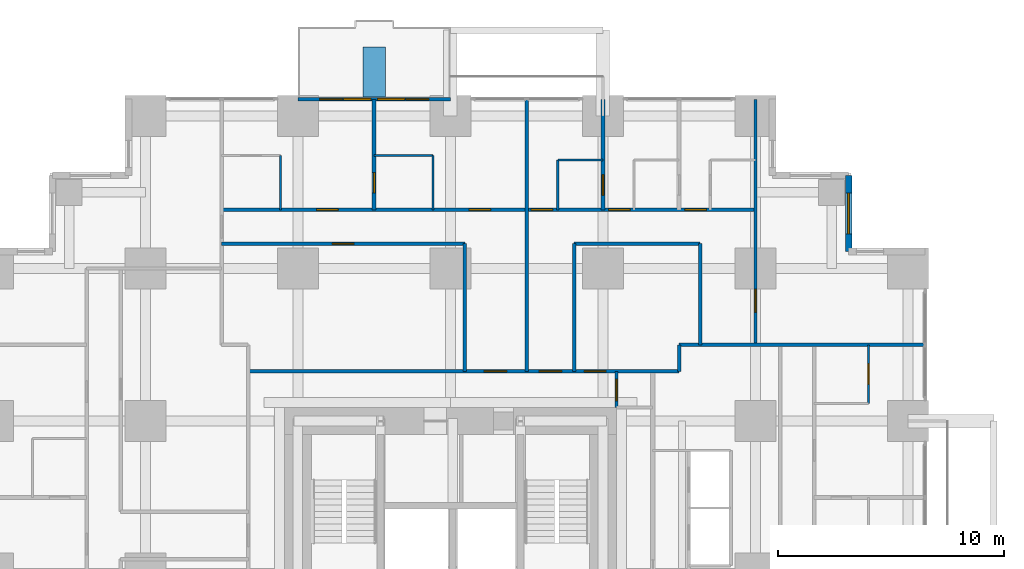
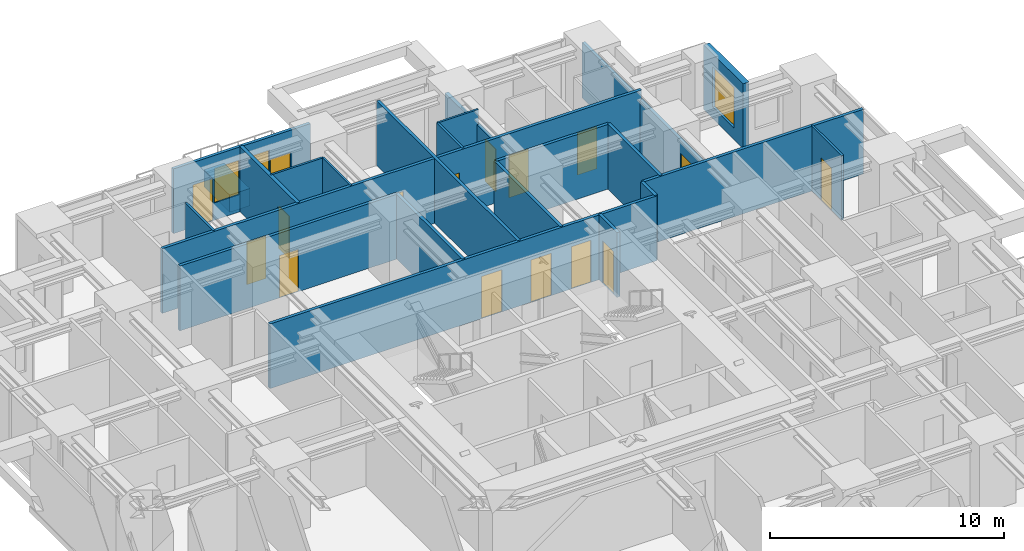
# One storey, part 12 of 14: 23 walls, 16 doors, 3 windows, 19 openings.
"""IFC4 building model written with IfcOpenShell, lengths in metres."""

from ifc_helpers import new_model, si_unit, direction, frame, frame_2d, origin, place, context, subcontext, project, spatial, rectangle, extrude, material, layer, layer_set, type_object, element, fill, save


model = new_model("IFC4")

# Units and contexts
model_context = context("Model", 3, precision=1e-05, world=origin(), true_north=direction((0.0, 1.0)))
body_context = subcontext(model_context, "Body", "Model", "MODEL_VIEW")
ifc_project = project(units=[si_unit("LENGTHUNIT", "METRE"), si_unit("AREAUNIT", "SQUARE_METRE"), si_unit("VOLUMEUNIT", "CUBIC_METRE"), si_unit("PLANEANGLEUNIT", "RADIAN"), si_unit("MASSUNIT", "GRAM", prefix="KILO")], contexts=[model_context])

# Site, building, storey
site_placement = place(None, origin())
site = spatial("IfcSite", under=ifc_project, at=site_placement, CompositionType="ELEMENT")
building_placement = place(site_placement, origin())
building = spatial("IfcBuilding", under=site, at=building_placement, Name="Nyansa Garden Tower", CompositionType="ELEMENT")
storey_placement = place(building_placement, frame((0.0, 0.0, 54.0)))
storey = spatial("IfcBuildingStorey", under=building, at=storey_placement, Name="L14", CompositionType="ELEMENT", Elevation=54.0)

# Wall, opening, door
ifc_material_1 = material(Name="Dense blockwork, plastered both sides, 55 dB", Category="masonry")
ifc_layer_1 = layer(ifc_material_1, 0.175048828125)
ifc_layer_set_1 = layer_set([ifc_layer_1], Name="Acoustic party wall PW175")
wall_type_1 = type_object("IfcWallType", Name="Acoustic party wall PW175", PredefinedType="PARTITIONING", material=ifc_layer_set_1)
wall_1_placement = place(storey_placement, frame((16.875, 36.35009765625, 0.0), z_axis=(0.0, 0.0, 1.0), x_axis=(0.0, 1.0, 0.0)))
wall_1 = element("IfcWall", 1, at=wall_1_placement, inside=storey, type_object=wall_type_1, Name="Party wall", PredefinedType="PARTITIONING", context=body_context, shape_type="SweptSolid", body=[
    extrude(rectangle(XDim=4.8837890625, YDim=0.175048828125, at=frame_2d((2.44189453125, 0.0))), origin(), (0.0, 0.0, 1.0), 3.375),
])
opening_1_placement = place(wall_1_placement, frame((0.75, 0.0, 0.0)))
opening_1 = element("IfcOpeningElement", 2, at=opening_1_placement, cuts=wall_1, Name="Opening D02", PredefinedType="OPENING", context=body_context, shape_type="SweptSolid", body=[
    extrude(rectangle(XDim=0.89990234375, YDim=2.199951171875, at=frame_2d((0.449951171875, 1.10009765625))), frame((0.0, 0.097412109375, 0.0), z_axis=(0.0, -1.0, 0.0), x_axis=(1.0, 0.0, 0.0)), (0.0, 0.0, 1.0), 0.195068359375),
])
ifc_material_2 = material(Name="Timber flush door", Category="wood")
door_type_1 = type_object("IfcDoorType", Name="En-suite door D02 900x2200", OperationType="SINGLE_SWING_RIGHT", PredefinedType="DOOR", material=ifc_material_2)
door_1_placement = place(opening_1_placement, origin())
door_1 = element("IfcDoor", 3, at=door_1_placement, inside=storey, type_object=door_type_1, Name="Door L14-053", OperationType="SINGLE_SWING_RIGHT", OverallHeight=2.199951171875, OverallWidth=0.89990234375, PredefinedType="DOOR", context=body_context, shape_type="SweptSolid", body=[
    extrude(rectangle(XDim=0.89990234375, YDim=2.199951171875, at=frame_2d((0.449951171875, 1.10009765625))), frame((0.0, 0.02490234375, 0.0), z_axis=(0.0, -1.0, 0.0), x_axis=(1.0, 0.0, 0.0)), (0.0, 0.0, 1.0), 0.050048828125),
])
fill(opening_1, door_1)

wall_2_placement = place(storey_placement, frame((27.0, 36.35009765625, 0.0), z_axis=(0.0, 0.0, 1.0), x_axis=(0.0, 1.0, 0.0)))
wall_2 = element("IfcWall", 4, at=wall_2_placement, inside=storey, type_object=wall_type_1, Name="Party wall", PredefinedType="PARTITIONING", context=body_context, shape_type="SweptSolid", body=[
    extrude(rectangle(XDim=4.8837890625, YDim=0.175048828125, at=frame_2d((2.44189453125, 0.0))), origin(), (0.0, 0.0, 1.0), 2.610107421875),
])
opening_2_placement = place(wall_2_placement, frame((0.64990234375, 0.0, 0.0)))
opening_2 = element("IfcOpeningElement", 5, at=opening_2_placement, cuts=wall_2, Name="Opening D02", PredefinedType="OPENING", context=body_context, shape_type="SweptSolid", body=[
    extrude(rectangle(XDim=0.89990234375, YDim=2.199951171875, at=frame_2d((0.449951171875, 1.10009765625))), frame((0.0, 0.097412109375, 0.0), z_axis=(0.0, -1.0, 0.0), x_axis=(1.0, 0.0, 0.0)), (0.0, 0.0, 1.0), 0.195068359375),
])
door_2_placement = place(opening_2_placement, origin())
door_2 = element("IfcDoor", 6, at=door_2_placement, inside=storey, type_object=door_type_1, Name="Door L14-048", OperationType="SINGLE_SWING_RIGHT", OverallHeight=2.199951171875, OverallWidth=0.89990234375, PredefinedType="DOOR", context=body_context, shape_type="SweptSolid", body=[
    extrude(rectangle(XDim=0.89990234375, YDim=2.199951171875, at=frame_2d((0.449951171875, 1.10009765625))), frame((0.0, 0.02490234375, 0.0), z_axis=(0.0, -1.0, 0.0), x_axis=(1.0, 0.0, 0.0)), (0.0, 0.0, 1.0), 0.050048828125),
])
fill(opening_2, door_2)

# Wall, openings, doors, windows
ifc_material_3 = material(Name="Black aluminium framed glazed screen", Category="aluminium")
ifc_layer_2 = layer(ifc_material_3, 0.14990234375)
ifc_layer_set_2 = layer_set([ifc_layer_2], Name="Balcony screen wall BW150")
wall_type_2 = type_object("IfcWallType", Name="Balcony screen wall BW150", PredefinedType="SOLIDWALL", material=ifc_layer_set_2)
wall_3_placement = place(storey_placement, frame((13.5, 41.25, 0.0), z_axis=(0.0, 0.0, 1.0), x_axis=(1.0, 0.0, 0.0)))
wall_3 = element("IfcWall", 7, at=wall_3_placement, inside=storey, type_object=wall_type_2, Name="Glazed screen wall L14 N", PredefinedType="SOLIDWALL", context=body_context, shape_type="SweptSolid", body=[
    extrude(rectangle(XDim=6.75, YDim=0.14990234375, at=frame_2d((3.375, 0.0))), origin(), (0.0, 0.0, 1.0), 3.375),
])
opening_3_placement = place(wall_3_placement, frame((0.96240234375, 0.0, 0.0)))
opening_3 = element("IfcOpeningElement", 8, at=opening_3_placement, cuts=wall_3, Name="Opening D20", PredefinedType="OPENING", context=body_context, shape_type="SweptSolid", body=[
    extrude(rectangle(XDim=1.0, YDim=2.199951171875, at=frame_2d((0.5, 1.10009765625))), frame((0.0, 0.0849609375, 0.0), z_axis=(0.0, -1.0, 0.0), x_axis=(1.0, 0.0, 0.0)), (0.0, 0.0, 1.0), 0.169921875),
])
opening_4_placement = place(wall_3_placement, frame((2.02490234375, 0.0, 0.89990234375)))
opening_4 = element("IfcOpeningElement", 9, at=opening_4_placement, cuts=wall_3, Name="Opening W6", PredefinedType="OPENING", context=body_context, shape_type="SweptSolid", body=[
    extrude(rectangle(XDim=1.199951171875, YDim=1.800048828125, at=frame_2d((0.60009765625, 0.89990234375))), frame((0.0, 0.0849609375, 0.0), z_axis=(0.0, -1.0, 0.0), x_axis=(1.0, 0.0, 0.0)), (0.0, 0.0, 1.0), 0.169921875),
])
opening_5_placement = place(wall_3_placement, frame((4.78759765625, 0.0, 0.0)))
opening_5 = element("IfcOpeningElement", 10, at=opening_5_placement, cuts=wall_3, Name="Opening D20", PredefinedType="OPENING", context=body_context, shape_type="SweptSolid", body=[
    extrude(rectangle(XDim=1.0, YDim=2.199951171875, at=frame_2d((0.5, 1.10009765625))), frame((0.0, 0.0849609375, 0.0), z_axis=(0.0, -1.0, 0.0), x_axis=(1.0, 0.0, 0.0)), (0.0, 0.0, 1.0), 0.169921875),
])
opening_6_placement = place(wall_3_placement, frame((3.52490234375, 0.0, 0.89990234375)))
opening_6 = element("IfcOpeningElement", 11, at=opening_6_placement, cuts=wall_3, Name="Opening W6", PredefinedType="OPENING", context=body_context, shape_type="SweptSolid", body=[
    extrude(rectangle(XDim=1.199951171875, YDim=1.800048828125, at=frame_2d((0.60009765625, 0.89990234375))), frame((0.0, 0.0849609375, 0.0), z_axis=(0.0, -1.0, 0.0), x_axis=(1.0, 0.0, 0.0)), (0.0, 0.0, 1.0), 0.169921875),
])
ifc_material_4 = material(Name="Black aluminium framed glazed door", Category="aluminium")
door_type_2 = type_object("IfcDoorType", Name="Balcony door D20 1000x2200", OperationType="NOTDEFINED", PredefinedType="DOOR", material=ifc_material_4)
door_3_placement = place(opening_3_placement, origin())
door_3 = element("IfcDoor", 12, at=door_3_placement, inside=storey, type_object=door_type_2, Name="Balcony door L14", OperationType="SINGLE_SWING_LEFT", OverallHeight=2.199951171875, OverallWidth=1.0, PredefinedType="DOOR", context=body_context, shape_type="SweptSolid", body=[
    extrude(rectangle(XDim=1.0, YDim=2.199951171875, at=frame_2d((0.5, 1.10009765625))), frame((0.0, 0.02490234375, 0.0), z_axis=(0.0, -1.0, 0.0), x_axis=(1.0, 0.0, 0.0)), (0.0, 0.0, 1.0), 0.050048828125),
])
fill(opening_3, door_3)
door_4_placement = place(opening_5_placement, origin())
door_4 = element("IfcDoor", 13, at=door_4_placement, inside=storey, type_object=door_type_2, Name="Balcony door L14", OperationType="SINGLE_SWING_RIGHT", OverallHeight=2.199951171875, OverallWidth=1.0, PredefinedType="DOOR", context=body_context, shape_type="SweptSolid", body=[
    extrude(rectangle(XDim=1.0, YDim=2.199951171875, at=frame_2d((0.5, 1.10009765625))), frame((0.0, 0.02490234375, 0.0), z_axis=(0.0, -1.0, 0.0), x_axis=(1.0, 0.0, 0.0)), (0.0, 0.0, 1.0), 0.050048828125),
])
fill(opening_5, door_4)
ifc_material_5 = material(Name="Black aluminium frame, dark tinted double glazing", Category="aluminium")
window_type_1 = type_object("IfcWindowType", Name="Balcony window W6 1200x1800", PartitioningType="SINGLE_PANEL", PredefinedType="WINDOW", material=ifc_material_5)
window_1_placement = place(opening_4_placement, origin())
window_1 = element("IfcWindow", 14, at=window_1_placement, inside=storey, type_object=window_type_1, Name="Window L14", OverallHeight=1.800048828125, OverallWidth=1.199951171875, PartitioningType="SINGLE_PANEL", PredefinedType="WINDOW", context=body_context, shape_type="SweptSolid", body=[
    extrude(rectangle(XDim=1.199951171875, YDim=1.800048828125, at=frame_2d((0.60009765625, 0.89990234375))), frame((0.0, 0.030029296875, 0.0), z_axis=(0.0, -1.0, 0.0), x_axis=(1.0, 0.0, 0.0)), (0.0, 0.0, 1.0), 0.06005859375),
])
fill(opening_4, window_1)
window_2_placement = place(opening_6_placement, origin())
window_2 = element("IfcWindow", 15, at=window_2_placement, inside=storey, type_object=window_type_1, Name="Window L14", OverallHeight=1.800048828125, OverallWidth=1.199951171875, PartitioningType="SINGLE_PANEL", PredefinedType="WINDOW", context=body_context, shape_type="SweptSolid", body=[
    extrude(rectangle(XDim=1.199951171875, YDim=1.800048828125, at=frame_2d((0.60009765625, 0.89990234375))), frame((0.0, 0.030029296875, 0.0), z_axis=(0.0, -1.0, 0.0), x_axis=(1.0, 0.0, 0.0)), (0.0, 0.0, 1.0), 0.06005859375),
])
fill(opening_6, window_2)

# Wall, opening, door
ifc_material_6 = material(Name="Blockwork, plastered both sides", Category="masonry")
ifc_layer_3 = layer(ifc_material_6, 0.14990234375)
ifc_layer_set_3 = layer_set([ifc_layer_3], Name="Partition PW150")
wall_type_3 = type_object("IfcWallType", Name="Partition PW150", PredefinedType="PARTITIONING", material=ifc_layer_set_3)
wall_4_placement = place(storey_placement, frame((10.125, 34.85009765625, 0.0), z_axis=(0.0, 0.0, 1.0), x_axis=(1.0, 0.0, 0.0)))
wall_4 = element("IfcWall", 16, at=wall_4_placement, inside=storey, type_object=wall_type_3, Name="Partition", PredefinedType="PARTITIONING", context=body_context, shape_type="SweptSolid", body=[
    extrude(rectangle(XDim=10.762451171875, YDim=0.14990234375, at=frame_2d((5.38134765625, 0.0))), origin(), (0.0, 0.0, 1.0), 3.375),
])
opening_7_placement = place(wall_4_placement, frame((4.89990234375, 0.0, 0.0)))
opening_7 = element("IfcOpeningElement", 17, at=opening_7_placement, cuts=wall_4, Name="Opening D01", PredefinedType="OPENING", context=body_context, shape_type="SweptSolid", body=[
    extrude(rectangle(XDim=0.949951171875, YDim=2.199951171875, at=frame_2d((0.47509765625, 1.10009765625))), frame((0.0, 0.0849609375, 0.0), z_axis=(0.0, -1.0, 0.0), x_axis=(1.0, 0.0, 0.0)), (0.0, 0.0, 1.0), 0.169921875),
])
ifc_material_7 = material(Name="Timber flush door, 30 minute fire resisting", Category="wood")
door_type_3 = type_object("IfcDoorType", Name="Bedroom door D01 950x2200", OperationType="SINGLE_SWING_LEFT", PredefinedType="DOOR", material=ifc_material_7)
door_5_placement = place(opening_7_placement, origin())
door_5 = element("IfcDoor", 18, at=door_5_placement, inside=storey, type_object=door_type_3, Name="Door L14-056", OperationType="SINGLE_SWING_LEFT", OverallHeight=2.199951171875, OverallWidth=0.949951171875, PredefinedType="DOOR", context=body_context, shape_type="SweptSolid", body=[
    extrude(rectangle(XDim=0.949951171875, YDim=2.199951171875, at=frame_2d((0.47509765625, 1.10009765625))), frame((0.0, 0.02490234375, 0.0), z_axis=(0.0, -1.0, 0.0), x_axis=(1.0, 0.0, 0.0)), (0.0, 0.0, 1.0), 0.050048828125),
])
fill(opening_7, door_5)

# Wall, openings, doors
wall_5_placement = place(storey_placement, frame((10.125, 36.35009765625, 0.0), z_axis=(0.0, 0.0, 1.0), x_axis=(1.0, 0.0, 0.0)))
wall_5 = element("IfcWall", 19, at=wall_5_placement, inside=storey, type_object=wall_type_3, Name="Partition", PredefinedType="PARTITIONING", context=body_context, shape_type="SweptSolid", body=[
    extrude(rectangle(XDim=23.625, YDim=0.14990234375, at=frame_2d((11.8125, 0.0))), origin(), (0.0, 0.0, 1.0), 3.375),
])
opening_8_placement = place(wall_5_placement, frame((20.5, 0.0, 0.0)))
opening_8 = element("IfcOpeningElement", 20, at=opening_8_placement, cuts=wall_5, Name="Opening D01", PredefinedType="OPENING", context=body_context, shape_type="SweptSolid", body=[
    extrude(rectangle(XDim=0.949951171875, YDim=2.199951171875, at=frame_2d((0.47509765625, 1.10009765625))), frame((0.0, 0.0849609375, 0.0), z_axis=(0.0, -1.0, 0.0), x_axis=(1.0, 0.0, 0.0)), (0.0, 0.0, 1.0), 0.169921875),
])
opening_9_placement = place(wall_5_placement, frame((17.125, 0.0, 0.0)))
opening_9 = element("IfcOpeningElement", 21, at=opening_9_placement, cuts=wall_5, Name="Opening D01", PredefinedType="OPENING", context=body_context, shape_type="SweptSolid", body=[
    extrude(rectangle(XDim=0.949951171875, YDim=2.199951171875, at=frame_2d((0.47509765625, 1.10009765625))), frame((0.0, 0.0849609375, 0.0), z_axis=(0.0, -1.0, 0.0), x_axis=(1.0, 0.0, 0.0)), (0.0, 0.0, 1.0), 0.169921875),
])
opening_10_placement = place(wall_5_placement, frame((13.699951171875, 0.0, 0.0)))
opening_10 = element("IfcOpeningElement", 22, at=opening_10_placement, cuts=wall_5, Name="Opening D01", PredefinedType="OPENING", context=body_context, shape_type="SweptSolid", body=[
    extrude(rectangle(XDim=0.949951171875, YDim=2.199951171875, at=frame_2d((0.47509765625, 1.10009765625))), frame((0.0, 0.0849609375, 0.0), z_axis=(0.0, -1.0, 0.0), x_axis=(1.0, 0.0, 0.0)), (0.0, 0.0, 1.0), 0.169921875),
])
opening_11_placement = place(wall_5_placement, frame((4.199951171875, 0.0, 0.0)))
opening_11 = element("IfcOpeningElement", 23, at=opening_11_placement, cuts=wall_5, Name="Opening D14", PredefinedType="OPENING", context=body_context, shape_type="SweptSolid", body=[
    extrude(rectangle(XDim=0.949951171875, YDim=2.199951171875, at=frame_2d((0.47509765625, 1.10009765625))), frame((0.0, 0.0849609375, 0.0), z_axis=(0.0, -1.0, 0.0), x_axis=(1.0, 0.0, 0.0)), (0.0, 0.0, 1.0), 0.169921875),
])
opening_12_placement = place(wall_5_placement, frame((10.949951171875, 0.0, 0.0)))
opening_12 = element("IfcOpeningElement", 24, at=opening_12_placement, cuts=wall_5, Name="Opening D14", PredefinedType="OPENING", context=body_context, shape_type="SweptSolid", body=[
    extrude(rectangle(XDim=0.949951171875, YDim=2.199951171875, at=frame_2d((0.47509765625, 1.10009765625))), frame((0.0, 0.0849609375, 0.0), z_axis=(0.0, -1.0, 0.0), x_axis=(1.0, 0.0, 0.0)), (0.0, 0.0, 1.0), 0.169921875),
])
door_6_placement = place(opening_8_placement, origin())
door_6 = element("IfcDoor", 25, at=door_6_placement, inside=storey, type_object=door_type_3, Name="Door L14-043", OperationType="SINGLE_SWING_LEFT", OverallHeight=2.199951171875, OverallWidth=0.949951171875, PredefinedType="DOOR", context=body_context, shape_type="SweptSolid", body=[
    extrude(rectangle(XDim=0.949951171875, YDim=2.199951171875, at=frame_2d((0.47509765625, 1.10009765625))), frame((0.0, 0.02490234375, 0.0), z_axis=(0.0, -1.0, 0.0), x_axis=(1.0, 0.0, 0.0)), (0.0, 0.0, 1.0), 0.050048828125),
])
fill(opening_8, door_6)
door_7_placement = place(opening_9_placement, origin())
door_7 = element("IfcDoor", 26, at=door_7_placement, inside=storey, type_object=door_type_3, Name="Door L14-045", OperationType="SINGLE_SWING_LEFT", OverallHeight=2.199951171875, OverallWidth=0.949951171875, PredefinedType="DOOR", context=body_context, shape_type="SweptSolid", body=[
    extrude(rectangle(XDim=0.949951171875, YDim=2.199951171875, at=frame_2d((0.47509765625, 1.10009765625))), frame((0.0, 0.02490234375, 0.0), z_axis=(0.0, -1.0, 0.0), x_axis=(1.0, 0.0, 0.0)), (0.0, 0.0, 1.0), 0.050048828125),
])
fill(opening_9, door_7)
door_8_placement = place(opening_10_placement, origin())
door_8 = element("IfcDoor", 27, at=door_8_placement, inside=storey, type_object=door_type_3, Name="Door L14-047", OperationType="SINGLE_SWING_LEFT", OverallHeight=2.199951171875, OverallWidth=0.949951171875, PredefinedType="DOOR", context=body_context, shape_type="SweptSolid", body=[
    extrude(rectangle(XDim=0.949951171875, YDim=2.199951171875, at=frame_2d((0.47509765625, 1.10009765625))), frame((0.0, 0.02490234375, 0.0), z_axis=(0.0, -1.0, 0.0), x_axis=(1.0, 0.0, 0.0)), (0.0, 0.0, 1.0), 0.050048828125),
])
fill(opening_10, door_8)
ifc_material_8 = material(Name="Timber flush door, 60 minute fire resisting, self-closing", Category="wood")
door_type_4 = type_object("IfcDoorType", Name="Studio entrance door D14 950x2200", OperationType="SINGLE_SWING_LEFT", PredefinedType="DOOR", material=ifc_material_8)
door_9_placement = place(opening_11_placement, origin())
door_9 = element("IfcDoor", 28, at=door_9_placement, inside=storey, type_object=door_type_4, Name="Door L14-050", OperationType="SINGLE_SWING_LEFT", OverallHeight=2.199951171875, OverallWidth=0.949951171875, PredefinedType="DOOR", context=body_context, shape_type="SweptSolid", body=[
    extrude(rectangle(XDim=0.949951171875, YDim=2.199951171875, at=frame_2d((0.47509765625, 1.10009765625))), frame((0.0, 0.02490234375, 0.0), z_axis=(0.0, -1.0, 0.0), x_axis=(1.0, 0.0, 0.0)), (0.0, 0.0, 1.0), 0.050048828125),
])
fill(opening_11, door_9)
door_10_placement = place(opening_12_placement, origin())
door_10 = element("IfcDoor", 29, at=door_10_placement, inside=storey, type_object=door_type_4, Name="Door L14-052", OperationType="SINGLE_SWING_LEFT", OverallHeight=2.199951171875, OverallWidth=0.949951171875, PredefinedType="DOOR", context=body_context, shape_type="SweptSolid", body=[
    extrude(rectangle(XDim=0.949951171875, YDim=2.199951171875, at=frame_2d((0.47509765625, 1.10009765625))), frame((0.0, 0.02490234375, 0.0), z_axis=(0.0, -1.0, 0.0), x_axis=(1.0, 0.0, 0.0)), (0.0, 0.0, 1.0), 0.050048828125),
])
fill(opening_12, door_10)

wall_6_placement = place(storey_placement, frame((11.300048828125, 29.199951171875, 0.0), z_axis=(0.0, 0.0, 1.0), x_axis=(1.0, 0.0, 0.0)))
wall_6 = element("IfcWall", 30, at=wall_6_placement, inside=storey, type_object=wall_type_3, Name="Partition", PredefinedType="PARTITIONING", context=body_context, shape_type="SweptSolid", body=[
    extrude(rectangle(XDim=19.074951171875, YDim=0.14990234375, at=frame_2d((9.53759765625, 0.0))), origin(), (0.0, 0.0, 1.0), 3.375),
])
opening_13_placement = place(wall_6_placement, frame((12.875, 0.0, 0.0)))
opening_13 = element("IfcOpeningElement", 31, at=opening_13_placement, cuts=wall_6, Name="Opening D03", PredefinedType="OPENING", context=body_context, shape_type="SweptSolid", body=[
    extrude(rectangle(XDim=1.0, YDim=2.199951171875, at=frame_2d((0.5, 1.10009765625))), frame((0.0, 0.0849609375, 0.0), z_axis=(0.0, -1.0, 0.0), x_axis=(1.0, 0.0, 0.0)), (0.0, 0.0, 1.0), 0.169921875),
])
opening_14_placement = place(wall_6_placement, frame((10.4375, 0.0, 0.0)))
opening_14 = element("IfcOpeningElement", 32, at=opening_14_placement, cuts=wall_6, Name="Opening D03", PredefinedType="OPENING", context=body_context, shape_type="SweptSolid", body=[
    extrude(rectangle(XDim=1.0, YDim=2.199951171875, at=frame_2d((0.5, 1.10009765625))), frame((0.0, 0.0849609375, 0.0), z_axis=(0.0, -1.0, 0.0), x_axis=(1.0, 0.0, 0.0)), (0.0, 0.0, 1.0), 0.169921875),
])
opening_15_placement = place(wall_6_placement, frame((14.875, 0.0, 0.0)))
opening_15 = element("IfcOpeningElement", 33, at=opening_15_placement, cuts=wall_6, Name="Opening D01", PredefinedType="OPENING", context=body_context, shape_type="SweptSolid", body=[
    extrude(rectangle(XDim=0.949951171875, YDim=2.199951171875, at=frame_2d((0.47509765625, 1.10009765625))), frame((0.0, 0.0849609375, 0.0), z_axis=(0.0, -1.0, 0.0), x_axis=(1.0, 0.0, 0.0)), (0.0, 0.0, 1.0), 0.169921875),
])
door_11_placement = place(opening_15_placement, origin())
door_11 = element("IfcDoor", 34, at=door_11_placement, inside=storey, type_object=door_type_3, Name="Door L14-055", OperationType="SINGLE_SWING_LEFT", OverallHeight=2.199951171875, OverallWidth=0.949951171875, PredefinedType="DOOR", context=body_context, shape_type="SweptSolid", body=[
    extrude(rectangle(XDim=0.949951171875, YDim=2.199951171875, at=frame_2d((0.47509765625, 1.10009765625))), frame((0.0, 0.02490234375, 0.0), z_axis=(0.0, -1.0, 0.0), x_axis=(1.0, 0.0, 0.0)), (0.0, 0.0, 1.0), 0.050048828125),
])
fill(opening_15, door_11)
ifc_material_9 = material(Name="Timber flush door, 60 minute fire resisting", Category="wood")
door_type_5 = type_object("IfcDoorType", Name="Cluster entrance door D03 1000x2200", OperationType="SINGLE_SWING_LEFT", PredefinedType="DOOR", material=ifc_material_9)
door_12_placement = place(opening_13_placement, origin())
door_12 = element("IfcDoor", 35, at=door_12_placement, inside=storey, type_object=door_type_5, Name="Door L14-049", OperationType="SINGLE_SWING_LEFT", OverallHeight=2.199951171875, OverallWidth=1.0, PredefinedType="DOOR", context=body_context, shape_type="SweptSolid", body=[
    extrude(rectangle(XDim=1.0, YDim=2.199951171875, at=frame_2d((0.5, 1.10009765625))), frame((0.0, 0.02490234375, 0.0), z_axis=(0.0, -1.0, 0.0), x_axis=(1.0, 0.0, 0.0)), (0.0, 0.0, 1.0), 0.050048828125),
])
fill(opening_13, door_12)
door_13_placement = place(opening_14_placement, origin())
door_13 = element("IfcDoor", 36, at=door_13_placement, inside=storey, type_object=door_type_5, Name="Door L14-054", OperationType="SINGLE_SWING_LEFT", OverallHeight=2.199951171875, OverallWidth=1.0, PredefinedType="DOOR", context=body_context, shape_type="SweptSolid", body=[
    extrude(rectangle(XDim=1.0, YDim=2.199951171875, at=frame_2d((0.5, 1.10009765625))), frame((0.0, 0.02490234375, 0.0), z_axis=(0.0, -1.0, 0.0), x_axis=(1.0, 0.0, 0.0)), (0.0, 0.0, 1.0), 0.050048828125),
])
fill(opening_14, door_13)

# Walls
wall_7_placement = place(storey_placement, frame((20.886962890625, 29.199951171875, 0.0), z_axis=(0.0, 0.0, 1.0), x_axis=(0.0, 1.0, 0.0)))
element("IfcWall", 37, at=wall_7_placement, inside=storey, type_object=wall_type_3, Name="Partition", PredefinedType="PARTITIONING", context=body_context, shape_type="SweptSolid", body=[
    extrude(rectangle(XDim=5.650146484375, YDim=0.14990234375, at=frame_2d((2.8251953125, 0.0))), origin(), (0.0, 0.0, 1.0), 3.375),
])
wall_8_placement = place(storey_placement, frame((23.625, 29.199951171875, 0.0), z_axis=(0.0, 0.0, 1.0), x_axis=(0.0, 1.0, 0.0)))
element("IfcWall", 38, at=wall_8_placement, inside=storey, type_object=wall_type_3, Name="Partition", PredefinedType="PARTITIONING", context=body_context, shape_type="SweptSolid", body=[
    extrude(rectangle(XDim=12.033935546875, YDim=0.14990234375, at=frame_2d((6.01708984375, 0.0))), origin(), (0.0, 0.0, 1.0), 3.375),
])
wall_9_placement = place(storey_placement, frame((25.72509765625, 29.199951171875, 0.0), z_axis=(0.0, 0.0, 1.0), x_axis=(0.0, 1.0, 0.0)))
element("IfcWall", 39, at=wall_9_placement, inside=storey, type_object=wall_type_3, Name="Partition", PredefinedType="PARTITIONING", context=body_context, shape_type="SweptSolid", body=[
    extrude(rectangle(XDim=5.650146484375, YDim=0.14990234375, at=frame_2d((2.8251953125, 0.0))), origin(), (0.0, 0.0, 1.0), 3.375),
])
wall_10_placement = place(storey_placement, frame((25.72509765625, 34.85009765625, 0.0), z_axis=(0.0, 0.0, 1.0), x_axis=(1.0, 0.0, 0.0)))
element("IfcWall", 40, at=wall_10_placement, inside=storey, type_object=wall_type_3, Name="Partition", PredefinedType="PARTITIONING", context=body_context, shape_type="SweptSolid", body=[
    extrude(rectangle(XDim=5.574951171875, YDim=0.14990234375, at=frame_2d((2.78759765625, 0.0))), origin(), (0.0, 0.0, 1.0), 3.375),
])

# Wall, opening, door
wall_11_placement = place(storey_placement, frame((27.60009765625, 27.60009765625, 0.0), z_axis=(0.0, 0.0, 1.0), x_axis=(0.0, 1.0, 0.0)))
wall_11 = element("IfcWall", 41, at=wall_11_placement, inside=storey, type_object=wall_type_3, Name="Partition", PredefinedType="PARTITIONING", context=body_context, shape_type="SweptSolid", body=[
    extrude(rectangle(XDim=1.599853515625, YDim=0.14990234375, at=frame_2d((0.7998046875, 0.0))), origin(), (0.0, 0.0, 1.0), 3.375),
])
opening_16_placement = place(wall_11_placement, frame((0.300048828125, 0.0, 0.0)))
opening_16 = element("IfcOpeningElement", 42, at=opening_16_placement, cuts=wall_11, Name="Opening D01", PredefinedType="OPENING", context=body_context, shape_type="SweptSolid", body=[
    extrude(rectangle(XDim=0.949951171875, YDim=2.199951171875, at=frame_2d((0.47509765625, 1.10009765625))), frame((0.0, 0.0849609375, 0.0), z_axis=(0.0, -1.0, 0.0), x_axis=(1.0, 0.0, 0.0)), (0.0, 0.0, 1.0), 0.169921875),
])
door_14_placement = place(opening_16_placement, origin())
door_14 = element("IfcDoor", 43, at=door_14_placement, inside=storey, type_object=door_type_3, Name="Door L14-016", OperationType="SINGLE_SWING_LEFT", OverallHeight=2.199951171875, OverallWidth=0.949951171875, PredefinedType="DOOR", context=body_context, shape_type="SweptSolid", body=[
    extrude(rectangle(XDim=0.949951171875, YDim=2.199951171875, at=frame_2d((0.47509765625, 1.10009765625))), frame((0.0, 0.02490234375, 0.0), z_axis=(0.0, -1.0, 0.0), x_axis=(1.0, 0.0, 0.0)), (0.0, 0.0, 1.0), 0.050048828125),
])
fill(opening_16, door_14)

# Walls
wall_12_placement = place(storey_placement, frame((30.375, 29.199951171875, 0.0), z_axis=(0.0, 0.0, 1.0), x_axis=(0.0, 1.0, 0.0)))
element("IfcWall", 44, at=wall_12_placement, inside=storey, type_object=wall_type_3, Name="Partition", PredefinedType="PARTITIONING", context=body_context, shape_type="SweptSolid", body=[
    extrude(rectangle(XDim=1.175048828125, YDim=0.14990234375, at=frame_2d((0.58740234375, 0.0))), origin(), (0.0, 0.0, 1.0), 3.375),
])
wall_13_placement = place(storey_placement, frame((30.375, 30.375, 0.0), z_axis=(0.0, 0.0, 1.0), x_axis=(1.0, 0.0, 0.0)))
element("IfcWall", 45, at=wall_13_placement, inside=storey, type_object=wall_type_3, Name="Partition", PredefinedType="PARTITIONING", context=body_context, shape_type="SweptSolid", body=[
    extrude(rectangle(XDim=10.85888671875, YDim=0.14990234375, at=frame_2d((5.429443359375, 0.0))), origin(), (0.0, 0.0, 1.0), 3.375),
])
wall_14_placement = place(storey_placement, frame((31.300048828125, 30.375, 0.0), z_axis=(0.0, 0.0, 1.0), x_axis=(0.0, 1.0, 0.0)))
element("IfcWall", 46, at=wall_14_placement, inside=storey, type_object=wall_type_3, Name="Partition", PredefinedType="PARTITIONING", context=body_context, shape_type="SweptSolid", body=[
    extrude(rectangle(XDim=4.47509765625, YDim=0.14990234375, at=frame_2d((2.237548828125, 0.0))), origin(), (0.0, 0.0, 1.0), 3.375),
])

# Wall, opening, door
wall_15_placement = place(storey_placement, frame((33.75, 30.375, 0.0), z_axis=(0.0, 0.0, 1.0), x_axis=(0.0, 1.0, 0.0)))
wall_15 = element("IfcWall", 47, at=wall_15_placement, inside=storey, type_object=wall_type_3, Name="Partition", PredefinedType="PARTITIONING", context=body_context, shape_type="SweptSolid", body=[
    extrude(rectangle(XDim=10.85888671875, YDim=0.14990234375, at=frame_2d((5.429443359375, 0.0))), origin(), (0.0, 0.0, 1.0), 2.876953125),
])
opening_17_placement = place(wall_15_placement, frame((1.449951171875, 0.0, 0.0)))
opening_17 = element("IfcOpeningElement", 48, at=opening_17_placement, cuts=wall_15, Name="Opening D03", PredefinedType="OPENING", context=body_context, shape_type="SweptSolid", body=[
    extrude(rectangle(XDim=1.0, YDim=2.199951171875, at=frame_2d((0.5, 1.10009765625))), frame((0.0, 0.0849609375, 0.0), z_axis=(0.0, -1.0, 0.0), x_axis=(1.0, 0.0, 0.0)), (0.0, 0.0, 1.0), 0.169921875),
])
door_15_placement = place(opening_17_placement, origin())
door_15 = element("IfcDoor", 49, at=door_15_placement, inside=storey, type_object=door_type_5, Name="Door L14-042", OperationType="SINGLE_SWING_LEFT", OverallHeight=2.199951171875, OverallWidth=1.0, PredefinedType="DOOR", context=body_context, shape_type="SweptSolid", body=[
    extrude(rectangle(XDim=1.0, YDim=2.199951171875, at=frame_2d((0.5, 1.10009765625))), frame((0.0, 0.02490234375, 0.0), z_axis=(0.0, -1.0, 0.0), x_axis=(1.0, 0.0, 0.0)), (0.0, 0.0, 1.0), 0.050048828125),
])
fill(opening_17, door_15)

# Wall, opening, window
ifc_material_10 = material(Name="Turquoise glazed tile on concrete blockwork", Category="masonry")
ifc_layer_4 = layer(ifc_material_10, 0.300048828125)
ifc_layer_set_4 = layer_set([ifc_layer_4], Name="Tiled corner wall TW300")
wall_type_4 = type_object("IfcWallType", Name="Tiled corner wall TW300", PredefinedType="SOLIDWALL", material=ifc_layer_set_4)
wall_16_placement = place(storey_placement, frame((37.875, 34.5, 0.0), z_axis=(0.0, 0.0, 1.0), x_axis=(0.0, 1.0, 0.0)))
wall_16 = element("IfcWall", 50, at=wall_16_placement, inside=storey, type_object=wall_type_4, Name="Tiled corner wall L14", PredefinedType="SOLIDWALL", context=body_context, shape_type="SweptSolid", body=[
    extrude(rectangle(XDim=3.375, YDim=0.300048828125, at=frame_2d((1.6875, 0.0))), origin(), (0.0, 0.0, 1.0), 3.375),
])
opening_18_placement = place(wall_16_placement, frame((0.78759765625, 0.0, 0.60009765625)))
opening_18 = element("IfcOpeningElement", 51, at=opening_18_placement, cuts=wall_16, Name="Opening W2", PredefinedType="OPENING", context=body_context, shape_type="SweptSolid", body=[
    extrude(rectangle(XDim=1.800048828125, YDim=2.10009765625, at=frame_2d((0.89990234375, 1.050048828125))), frame((0.0, 0.159912109375, 0.0), z_axis=(0.0, -1.0, 0.0), x_axis=(1.0, 0.0, 0.0)), (0.0, 0.0, 1.0), 0.320068359375),
])
ifc_material_11 = material(Name="Black aluminium frame, dark tinted double glazing", Category="aluminium")
window_type_2 = type_object("IfcWindowType", Name="Window W2 1800x2100", PartitioningType="SINGLE_PANEL", PredefinedType="WINDOW", material=ifc_material_11)
window_3_placement = place(opening_18_placement, origin())
window_3 = element("IfcWindow", 52, at=window_3_placement, inside=storey, type_object=window_type_2, Name="Corner window L14", OverallHeight=2.10009765625, OverallWidth=1.800048828125, PartitioningType="SINGLE_PANEL", PredefinedType="WINDOW", context=body_context, shape_type="SweptSolid", body=[
    extrude(rectangle(XDim=1.800048828125, YDim=2.10009765625, at=frame_2d((0.89990234375, 1.050048828125))), frame((0.0, 0.030029296875, 0.0), z_axis=(0.0, -1.0, 0.0), x_axis=(1.0, 0.0, 0.0)), (0.0, 0.0, 1.0), 0.06005859375),
])
fill(opening_18, window_3)

# Walls
ifc_material_12 = material(Name="Concrete C40/50 planter, waterproofed", Category="concrete")
ifc_layer_5 = layer(ifc_material_12, 1.0)
ifc_layer_set_5 = layer_set([ifc_layer_5], Name="Tree planter TP1")
wall_type_5 = type_object("IfcWallType", Name="Tree planter TP1", PredefinedType="USERDEFINED", material=ifc_layer_set_5)
wall_17_placement = place(storey_placement, frame((16.875, 41.35009765625, 0.0), z_axis=(0.0, 0.0, 1.0), x_axis=(0.0, 1.0, 0.0)))
element("IfcWall", 53, at=wall_17_placement, inside=storey, type_object=wall_type_5, Name="Tree planter L14", ObjectType="TREE PLANTER", PredefinedType="USERDEFINED", context=body_context, shape_type="SweptSolid", body=[
    extrude(rectangle(XDim=2.199951171875, YDim=1.0, at=frame_2d((1.10009765625, 0.0))), origin(), (0.0, 0.0, 1.0), 0.89990234375),
])
ifc_material_13 = material(Name="Moisture resistant board on steel studs, tiled", Category="steel")
ifc_layer_6 = layer(ifc_material_13, 0.10009765625)
ifc_layer_set_6 = layer_set([ifc_layer_6], Name="Wet wall PW100")
wall_type_6 = type_object("IfcWallType", Name="Wet wall PW100", PredefinedType="PARTITIONING", material=ifc_layer_set_6)
wall_18_placement = place(storey_placement, frame((12.72509765625, 36.35009765625, 0.0), z_axis=(0.0, 0.0, 1.0), x_axis=(0.0, 1.0, 0.0)))
element("IfcWall", 54, at=wall_18_placement, inside=storey, type_object=wall_type_6, Name="Wet wall", PredefinedType="PARTITIONING", context=body_context, shape_type="SweptSolid", body=[
    extrude(rectangle(XDim=2.39990234375, YDim=0.10009765625, at=frame_2d((1.199951171875, 0.0))), origin(), (0.0, 0.0, 1.0), 3.375),
])
wall_19_placement = place(storey_placement, frame((16.875, 38.75, 0.0), z_axis=(0.0, 0.0, 1.0), x_axis=(1.0, 0.0, 0.0)))
element("IfcWall", 55, at=wall_19_placement, inside=storey, type_object=wall_type_6, Name="Wet wall", PredefinedType="PARTITIONING", context=body_context, shape_type="SweptSolid", body=[
    extrude(rectangle(XDim=2.60009765625, YDim=0.10009765625, at=frame_2d((1.300048828125, 0.0))), origin(), (0.0, 0.0, 1.0), 3.375),
])
wall_20_placement = place(storey_placement, frame((19.47509765625, 36.35009765625, 0.0), z_axis=(0.0, 0.0, 1.0), x_axis=(0.0, 1.0, 0.0)))
element("IfcWall", 56, at=wall_20_placement, inside=storey, type_object=wall_type_6, Name="Wet wall", PredefinedType="PARTITIONING", context=body_context, shape_type="SweptSolid", body=[
    extrude(rectangle(XDim=2.39990234375, YDim=0.10009765625, at=frame_2d((1.199951171875, 0.0))), origin(), (0.0, 0.0, 1.0), 3.375),
])
wall_21_placement = place(storey_placement, frame((25.0, 36.35009765625, 0.0), z_axis=(0.0, 0.0, 1.0), x_axis=(0.0, 1.0, 0.0)))
element("IfcWall", 57, at=wall_21_placement, inside=storey, type_object=wall_type_6, Name="Wet wall", PredefinedType="PARTITIONING", context=body_context, shape_type="SweptSolid", body=[
    extrude(rectangle(XDim=2.199951171875, YDim=0.10009765625, at=frame_2d((1.10009765625, 0.0))), origin(), (0.0, 0.0, 1.0), 3.375),
])
wall_22_placement = place(storey_placement, frame((25.0, 38.550048828125, 0.0), z_axis=(0.0, 0.0, 1.0), x_axis=(1.0, 0.0, 0.0)))
element("IfcWall", 58, at=wall_22_placement, inside=storey, type_object=wall_type_6, Name="Wet wall", PredefinedType="PARTITIONING", context=body_context, shape_type="SweptSolid", body=[
    extrude(rectangle(XDim=2.0, YDim=0.10009765625, at=frame_2d((1.0, 0.0))), origin(), (0.0, 0.0, 1.0), 3.375),
])

# Wall, opening, door
wall_23_placement = place(storey_placement, frame((38.75, 27.77490234375, 0.0), z_axis=(0.0, 0.0, 1.0), x_axis=(0.0, 1.0, 0.0)))
wall_23 = element("IfcWall", 59, at=wall_23_placement, inside=storey, type_object=wall_type_6, Name="Wet wall", PredefinedType="PARTITIONING", context=body_context, shape_type="SweptSolid", body=[
    extrude(rectangle(XDim=2.60009765625, YDim=0.10009765625, at=frame_2d((1.300048828125, 0.0))), origin(), (0.0, 0.0, 1.0), 3.375),
])
opening_19_placement = place(wall_23_placement, frame((0.85009765625, 0.0, 0.0)))
opening_19 = element("IfcOpeningElement", 60, at=opening_19_placement, cuts=wall_23, Name="Opening D02", PredefinedType="OPENING", context=body_context, shape_type="SweptSolid", body=[
    extrude(rectangle(XDim=0.89990234375, YDim=2.199951171875, at=frame_2d((0.449951171875, 1.10009765625))), frame((0.0, 0.06005859375, 0.0), z_axis=(0.0, -1.0, 0.0), x_axis=(1.0, 0.0, 0.0)), (0.0, 0.0, 1.0), 0.1201171875),
])
door_16_placement = place(opening_19_placement, origin())
door_16 = element("IfcDoor", 61, at=door_16_placement, inside=storey, type_object=door_type_1, Name="Door L14-034", OperationType="SINGLE_SWING_RIGHT", OverallHeight=2.199951171875, OverallWidth=0.89990234375, PredefinedType="DOOR", context=body_context, shape_type="SweptSolid", body=[
    extrude(rectangle(XDim=0.89990234375, YDim=2.199951171875, at=frame_2d((0.449951171875, 1.10009765625))), frame((0.0, 0.02490234375, 0.0), z_axis=(0.0, -1.0, 0.0), x_axis=(1.0, 0.0, 0.0)), (0.0, 0.0, 1.0), 0.050048828125),
])
fill(opening_19, door_16)

save(model, "model.ifc")
